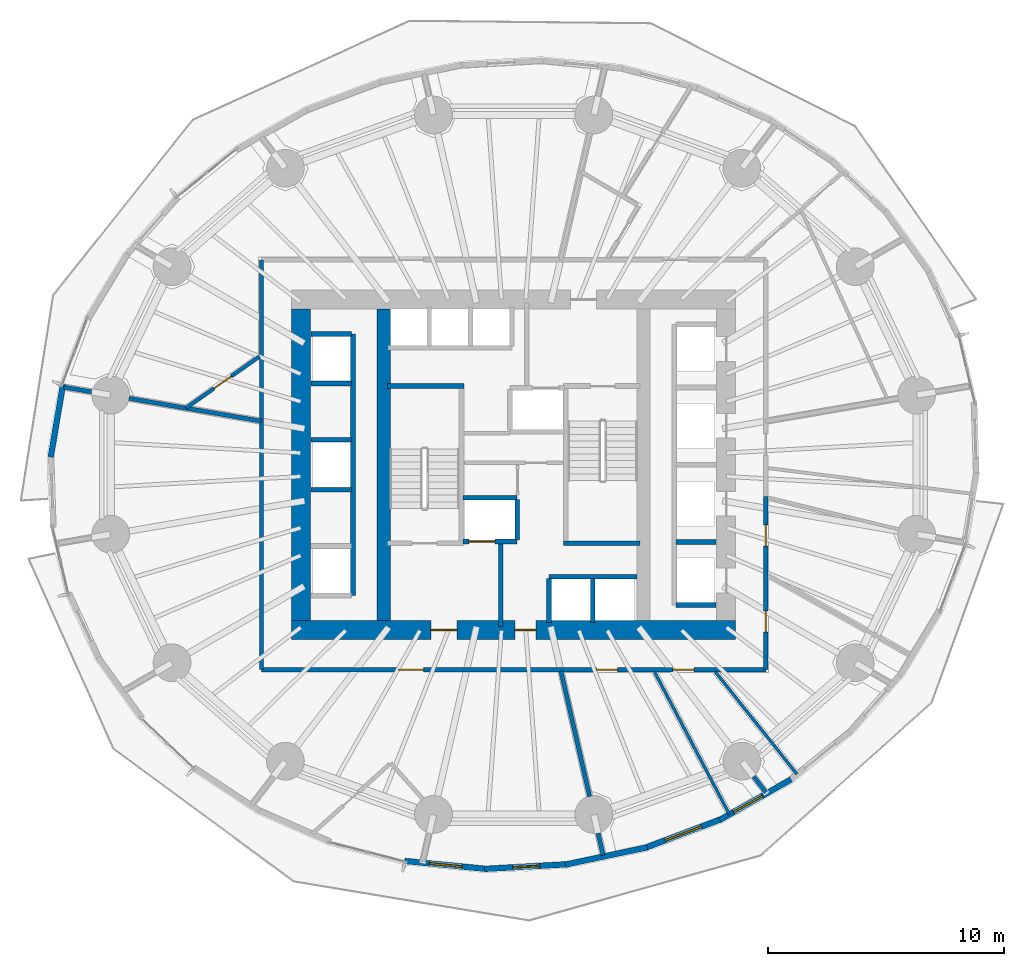
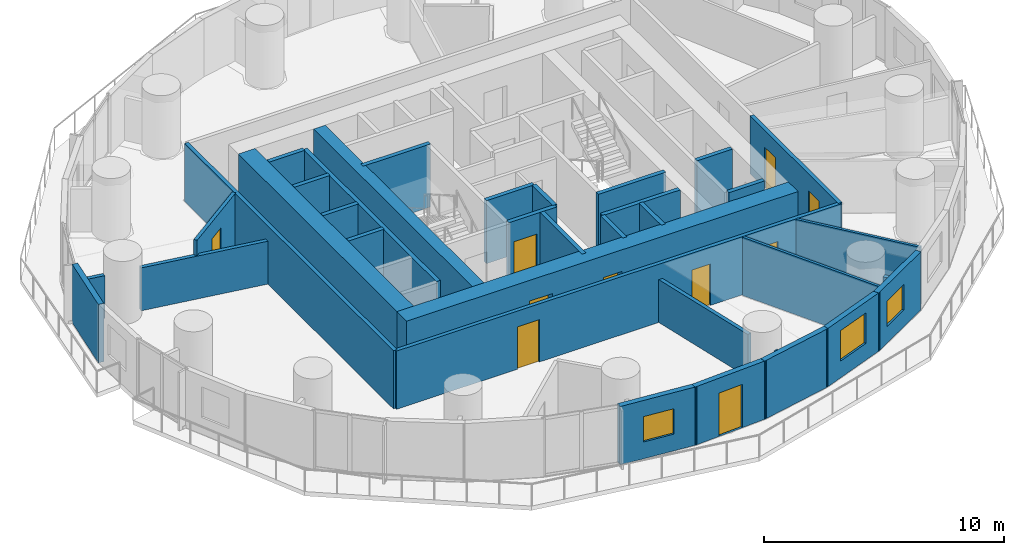
# One storey, part 7 of 14: 36 walls, 10 doors, 3 windows, 13 openings.
"""IFC4 building model written with IfcOpenShell, lengths in metres."""

from ifc_helpers import new_model, si_unit, direction, frame, frame_2d, origin, place, context, subcontext, project, spatial, rectangle, extrude, material, layer, layer_set, type_object, element, fill, save


model = new_model("IFC4")

# Units and contexts
model_context = context("Model", 3, precision=1e-05, world=origin(), true_north=direction((0.0, 1.0)))
body_context = subcontext(model_context, "Body", "Model", "MODEL_VIEW")
ifc_project = project(units=[si_unit("LENGTHUNIT", "METRE"), si_unit("AREAUNIT", "SQUARE_METRE"), si_unit("VOLUMEUNIT", "CUBIC_METRE"), si_unit("PLANEANGLEUNIT", "RADIAN"), si_unit("MASSUNIT", "GRAM", prefix="KILO")], contexts=[model_context])

# Site, building, storey
site_placement = place(None, origin())
site = spatial("IfcSite", under=ifc_project, at=site_placement, CompositionType="ELEMENT")
building_placement = place(site_placement, origin())
building = spatial("IfcBuilding", under=site, at=building_placement, Name="Veldorim Arch Residences", CompositionType="ELEMENT")
storey_placement = place(building_placement, frame((0.0, 0.0, 34.39990234375)))
storey = spatial("IfcBuildingStorey", under=building, at=storey_placement, Name="L09", CompositionType="ELEMENT", Elevation=34.39990234375)

# Walls
ifc_material_1 = material(Name="Acoustic Gypsum Board", Category="gypsum")
ifc_layer_1 = layer(ifc_material_1, 0.125, Name="Acoustic Stud Room Partition Wall 125")
ifc_layer_set_1 = layer_set([ifc_layer_1], Name="Acoustic Gypsum Board")
wall_type_1 = type_object("IfcWallType", Name="Acoustic Stud Room Partition Wall 125", PredefinedType="PARTITIONING", material=ifc_layer_set_1)
wall_1_placement = place(storey_placement, frame((43.997802734375, 10.896728515625, 0.0), z_axis=(0.0, 0.0, 1.0), x_axis=(-0.623937025269, 0.781474624347, 0.0)))
element("IfcWall", 1, at=wall_1_placement, inside=storey, type_object=wall_type_1, Name="L09 interior wall WL-RES-L09-010", PredefinedType="PARTITIONING", context=body_context, shape_type="SweptSolid", body=[
    extrude(rectangle(XDim=5.540283203125, YDim=0.125, at=frame_2d((2.77001953125, 0.0))), origin(), (0.0, 0.0, 1.0), 2.955078125),
])
wall_2_placement = place(storey_placement, frame((41.134521484375, 9.197265625, 0.0), z_axis=(0.0, 0.0, 1.0), x_axis=(-0.465197105493, 0.885207124373, 0.0)))
element("IfcWall", 2, at=wall_2_placement, inside=storey, type_object=wall_type_1, Name="L09 interior wall WL-RES-L09-011", PredefinedType="PARTITIONING", context=body_context, shape_type="SweptSolid", body=[
    extrude(rectangle(XDim=6.796875, YDim=0.125, at=frame_2d((3.3984375, 0.0))), origin(), (0.0, 0.0, 1.0), 2.955078125),
])
ifc_material_2 = material(Name="Lightweight Masonry Block & Gypsum", Category="masonry")
ifc_layer_2 = layer(ifc_material_2, 0.179931640625, Name="Compartment & Corridor Fire-Rated Party Wall 180")
ifc_layer_set_2 = layer_set([ifc_layer_2], Name="Lightweight Masonry Block & Gypsum")
wall_type_2 = type_object("IfcWallType", Name="Compartment & Corridor Fire-Rated Party Wall 180", PredefinedType="PARTITIONING", material=ifc_layer_set_2)
wall_3_placement = place(storey_placement, frame((14.126220703125, 27.08544921875, 0.0), z_axis=(0.0, 0.0, 1.0), x_axis=(-0.98541644509, 0.170160012181, 0.0)))
element("IfcWall", 3, at=wall_3_placement, inside=storey, type_object=wall_type_2, Name="L09 interior wall WL-PIER-L09-08", PredefinedType="PARTITIONING", context=body_context, shape_type="SweptSolid", body=[
    extrude(rectangle(XDim=1.195068359375, YDim=0.179931640625, at=frame_2d((0.59765625, 0.0))), origin(), (0.0, 0.0, 1.0), 2.17822265625),
])
wall_4_placement = place(storey_placement, frame((35.577880859375, 8.390869140625, 0.0), z_axis=(0.0, 0.0, 1.0), x_axis=(0.223204870581, -0.974771555673, 0.0)))
element("IfcWall", 4, at=wall_4_placement, inside=storey, type_object=wall_type_2, Name="L09 interior wall WL-PIER-L09-13", PredefinedType="PARTITIONING", context=body_context, shape_type="SweptSolid", body=[
    extrude(rectangle(XDim=0.959228515625, YDim=0.179931640625, at=frame_2d((0.4794921875, 0.0))), origin(), (0.0, 0.0, 1.0), 2.17822265625),
])
wall_5_placement = place(storey_placement, frame((42.167236328125, 10.795166015625, 0.0), z_axis=(0.0, 0.0, 1.0), x_axis=(0.609822176225, -0.792538272504, 0.0)))
element("IfcWall", 5, at=wall_5_placement, inside=storey, type_object=wall_type_2, Name="L09 interior wall WL-PIER-L09-14", PredefinedType="PARTITIONING", context=body_context, shape_type="SweptSolid", body=[
    extrude(rectangle(XDim=0.84716796875, YDim=0.179931640625, at=frame_2d((0.423583984375, 0.0))), origin(), (0.0, 0.0, 1.0), 2.17822265625),
])

# Wall, openings, doors
wall_6_placement = place(storey_placement, frame((42.679931640625, 22.655517578125, 0.0), z_axis=(0.0, 0.0, 1.0), x_axis=(0.0, -1.0, 0.0)))
wall_6 = element("IfcWall", 6, at=wall_6_placement, inside=storey, type_object=wall_type_2, Name="L09 interior wall WL-RES-L09-002", PredefinedType="PARTITIONING", context=body_context, shape_type="SweptSolid", body=[
    extrude(rectangle(XDim=7.33544921875, YDim=0.179931640625, at=frame_2d((3.667724609375, 0.0))), origin(), (0.0, 0.0, 1.0), 2.955078125),
])
opening_1_placement = place(wall_6_placement, frame((1.199951171875, 0.0, 0.0)))
opening_1 = element("IfcOpeningElement", 7, at=opening_1_placement, cuts=wall_6, Name="Opening DR-INT", PredefinedType="OPENING", context=body_context, shape_type="SweptSolid", body=[
    extrude(rectangle(XDim=0.89990234375, YDim=2.10009765625, at=frame_2d((0.449951171875, 1.050048828125))), frame((0.0, 0.099853515625, 0.0), z_axis=(0.0, -1.0, 0.0), x_axis=(1.0, 0.0, 0.0)), (0.0, 0.0, 1.0), 0.199951171875),
])
opening_2_placement = place(wall_6_placement, frame((4.846435546875, 0.0, 0.0)))
opening_2 = element("IfcOpeningElement", 8, at=opening_2_placement, cuts=wall_6, Name="Opening DR-INT", PredefinedType="OPENING", context=body_context, shape_type="SweptSolid", body=[
    extrude(rectangle(XDim=0.89990234375, YDim=2.10009765625, at=frame_2d((0.449951171875, 1.050048828125))), frame((0.0, 0.099853515625, 0.0), z_axis=(0.0, -1.0, 0.0), x_axis=(1.0, 0.0, 0.0)), (0.0, 0.0, 1.0), 0.199951171875),
])
ifc_material_3 = material(Name="Engineered Timber", Category="wood")
door_type_1 = type_object("IfcDoorType", Name="Apartment Internal Room Timber Door 900x2100", OperationType="SINGLE_SWING_LEFT", PredefinedType="DOOR", material=ifc_material_3)
door_1_placement = place(opening_1_placement, origin())
door_1 = element("IfcDoor", 9, at=door_1_placement, inside=storey, type_object=door_type_1, Name="L09 interior door DR-RES-L09-002", OperationType="SINGLE_SWING_RIGHT", OverallHeight=2.10009765625, OverallWidth=0.89990234375, PredefinedType="DOOR", context=body_context, shape_type="SweptSolid", body=[
    extrude(rectangle(XDim=0.89990234375, YDim=2.10009765625, at=frame_2d((0.449951171875, 1.050048828125))), frame((0.0, 0.02490234375, 0.0), z_axis=(0.0, -1.0, 0.0), x_axis=(1.0, 0.0, 0.0)), (0.0, 0.0, 1.0), 0.050048828125),
])
fill(opening_1, door_1)
door_2_placement = place(opening_2_placement, origin())
door_2 = element("IfcDoor", 10, at=door_2_placement, inside=storey, type_object=door_type_1, Name="L09 interior door DR-RES-L09-003", OperationType="SINGLE_SWING_LEFT", OverallHeight=2.10009765625, OverallWidth=0.89990234375, PredefinedType="DOOR", context=body_context, shape_type="SweptSolid", body=[
    extrude(rectangle(XDim=0.89990234375, YDim=2.10009765625, at=frame_2d((0.449951171875, 1.050048828125))), frame((0.0, 0.02490234375, 0.0), z_axis=(0.0, -1.0, 0.0), x_axis=(1.0, 0.0, 0.0)), (0.0, 0.0, 1.0), 0.050048828125),
])
fill(opening_2, door_2)

wall_7_placement = place(storey_placement, frame((42.679931640625, 15.320068359375, 0.0), z_axis=(0.0, 0.0, 1.0), x_axis=(-1.0, 0.0, 0.0)))
wall_7 = element("IfcWall", 11, at=wall_7_placement, inside=storey, type_object=wall_type_2, Name="L09 interior wall WL-RES-L09-003", PredefinedType="PARTITIONING", context=body_context, shape_type="SweptSolid", body=[
    extrude(rectangle(XDim=21.35986328125, YDim=0.179931640625, at=frame_2d((10.679931640625, 0.0))), origin(), (0.0, 0.0, 1.0), 2.955078125),
])
opening_3_placement = place(wall_7_placement, frame((3.035888671875, 0.0, 0.0)))
opening_3 = element("IfcOpeningElement", 12, at=opening_3_placement, cuts=wall_7, Name="Opening DR-INT", PredefinedType="OPENING", context=body_context, shape_type="SweptSolid", body=[
    extrude(rectangle(XDim=0.89990234375, YDim=2.10009765625, at=frame_2d((0.449951171875, 1.050048828125))), frame((0.0, 0.099853515625, 0.0), z_axis=(0.0, -1.0, 0.0), x_axis=(1.0, 0.0, 0.0)), (0.0, 0.0, 1.0), 0.199951171875),
])
opening_4_placement = place(wall_7_placement, frame((6.275390625, 0.0, 0.0)))
opening_4 = element("IfcOpeningElement", 13, at=opening_4_placement, cuts=wall_7, Name="Opening DR-INT", PredefinedType="OPENING", context=body_context, shape_type="SweptSolid", body=[
    extrude(rectangle(XDim=0.89990234375, YDim=2.10009765625, at=frame_2d((0.449951171875, 1.050048828125))), frame((0.0, 0.099853515625, 0.0), z_axis=(0.0, -1.0, 0.0), x_axis=(1.0, 0.0, 0.0)), (0.0, 0.0, 1.0), 0.199951171875),
])
opening_5_placement = place(wall_7_placement, frame((14.489990234375, 0.0, 0.0)))
opening_5 = element("IfcOpeningElement", 14, at=opening_5_placement, cuts=wall_7, Name="Opening DR-FLT", PredefinedType="OPENING", context=body_context, shape_type="SweptSolid", body=[
    extrude(rectangle(XDim=1.050048828125, YDim=2.14990234375, at=frame_2d((0.52490234375, 1.074951171875))), frame((0.0, 0.099853515625, 0.0), z_axis=(0.0, -1.0, 0.0), x_axis=(1.0, 0.0, 0.0)), (0.0, 0.0, 1.0), 0.199951171875),
])
ifc_material_4 = material(Name="Fire-Rated Timber", Category="wood")
door_type_2 = type_object("IfcDoorType", Name="Apartment Entrance Solid-Core Fire Door 1050x2150", OperationType="SINGLE_SWING_LEFT", PredefinedType="DOOR", material=ifc_material_4)
door_3_placement = place(opening_5_placement, origin())
door_3 = element("IfcDoor", 15, at=door_3_placement, inside=storey, type_object=door_type_2, Name="L09 interior door DR-RES-L09-014", OperationType="SINGLE_SWING_RIGHT", OverallHeight=2.14990234375, OverallWidth=1.050048828125, PredefinedType="DOOR", context=body_context, shape_type="SweptSolid", body=[
    extrude(rectangle(XDim=1.050048828125, YDim=2.14990234375, at=frame_2d((0.52490234375, 1.074951171875))), frame((0.0, 0.02490234375, 0.0), z_axis=(0.0, -1.0, 0.0), x_axis=(1.0, 0.0, 0.0)), (0.0, 0.0, 1.0), 0.050048828125),
])
fill(opening_5, door_3)
door_4_placement = place(opening_3_placement, origin())
door_4 = element("IfcDoor", 16, at=door_4_placement, inside=storey, type_object=door_type_1, Name="L09 interior door DR-RES-L09-004", OperationType="SINGLE_SWING_RIGHT", OverallHeight=2.10009765625, OverallWidth=0.89990234375, PredefinedType="DOOR", context=body_context, shape_type="SweptSolid", body=[
    extrude(rectangle(XDim=0.89990234375, YDim=2.10009765625, at=frame_2d((0.449951171875, 1.050048828125))), frame((0.0, 0.02490234375, 0.0), z_axis=(0.0, -1.0, 0.0), x_axis=(1.0, 0.0, 0.0)), (0.0, 0.0, 1.0), 0.050048828125),
])
fill(opening_3, door_4)
door_5_placement = place(opening_4_placement, origin())
door_5 = element("IfcDoor", 17, at=door_5_placement, inside=storey, type_object=door_type_1, Name="L09 interior door DR-RES-L09-005", OperationType="SINGLE_SWING_LEFT", OverallHeight=2.10009765625, OverallWidth=0.89990234375, PredefinedType="DOOR", context=body_context, shape_type="SweptSolid", body=[
    extrude(rectangle(XDim=0.89990234375, YDim=2.10009765625, at=frame_2d((0.449951171875, 1.050048828125))), frame((0.0, 0.02490234375, 0.0), z_axis=(0.0, -1.0, 0.0), x_axis=(1.0, 0.0, 0.0)), (0.0, 0.0, 1.0), 0.050048828125),
])
fill(opening_4, door_5)

# Walls
wall_8_placement = place(storey_placement, frame((21.320068359375, 15.320068359375, 0.0), z_axis=(0.0, 0.0, 1.0), x_axis=(0.0, 1.0, 0.0)))
element("IfcWall", 18, at=wall_8_placement, inside=storey, type_object=wall_type_2, Name="L09 interior wall WL-RES-L09-005", PredefinedType="PARTITIONING", context=body_context, shape_type="SweptSolid", body=[
    extrude(rectangle(XDim=17.35986328125, YDim=0.179931640625, at=frame_2d((8.679931640625, 0.0))), origin(), (0.0, 0.0, 1.0), 2.955078125),
])
wall_9_placement = place(storey_placement, frame((35.220947265625, 9.947998046875, 0.0), z_axis=(0.0, 0.0, 1.0), x_axis=(-0.223436436687, 0.974718502318, 0.0)))
element("IfcWall", 19, at=wall_9_placement, inside=storey, type_object=wall_type_2, Name="L09 interior wall WL-RES-L09-012", PredefinedType="PARTITIONING", context=body_context, shape_type="SweptSolid", body=[
    extrude(rectangle(XDim=5.451171875, YDim=0.179931640625, at=frame_2d((2.7255859375, 0.0))), origin(), (0.0, 0.0, 1.0), 2.17822265625),
])
wall_10_placement = place(storey_placement, frame((21.320068359375, 25.84375, 0.0), z_axis=(0.0, 0.0, 1.0), x_axis=(-0.985428411656, 0.170090697865, 0.0)))
element("IfcWall", 20, at=wall_10_placement, inside=storey, type_object=wall_type_2, Name="L09 interior wall WL-RES-L09-020", PredefinedType="PARTITIONING", context=body_context, shape_type="SweptSolid", body=[
    extrude(rectangle(XDim=5.694091796875, YDim=0.179931640625, at=frame_2d((2.84716796875, 0.0))), origin(), (0.0, 0.0, 1.0), 2.17822265625),
])
ifc_material_5 = material(Name="Concrete C50/60", Category="concrete")
ifc_layer_3 = layer(ifc_material_5, 0.199951171875, Name="Core Stair & Lift Shaft Enclosure Wall 200")
ifc_layer_set_3 = layer_set([ifc_layer_3], Name="Concrete C50/60")
wall_type_3 = type_object("IfcWallType", Name="Core Stair & Lift Shaft Enclosure Wall 200", PredefinedType="SHEAR", material=ifc_layer_set_3)
for number, where, z_axis, x_axis, name in (
    (21, (26.64990234375, 27.330078125, 0.0), (0.0, 0.0, 1.0), (1.0, 0.0, 0.0), "L09 shaft wall WL-SHF-L09-ST1-N"),
    (22, (34.110107421875, 20.669921875, 0.0), (0.0, 0.0, 1.0), (1.0, 0.0, 0.0), "L09 shaft wall WL-SHF-L09-ST2-S"),
):
    element("IfcWall", number, at=place(storey_placement, frame(where, z_axis=z_axis, x_axis=x_axis)), inside=storey, type_object=wall_type_3, Name=name, PredefinedType="SHEAR", context=body_context, shape_type="SweptSolid", body=[
        extrude(rectangle(XDim=3.239990234375, YDim=0.199951171875, at=frame_2d((1.6201171875, 0.0))), origin(), (0.0, 0.0, 1.0), 3.2001953125),
    ])
wall_11_placement = place(storey_placement, frame((31.449951171875, 17.14990234375, 0.0), z_axis=(0.0, 0.0, 1.0), x_axis=(0.0, 1.0, 0.0)))
element("IfcWall", 23, at=wall_11_placement, inside=storey, type_object=wall_type_3, Name="L09 shaft wall WL-FFL1-L09-E", PredefinedType="SHEAR", context=body_context, shape_type="SweptSolid", body=[
    extrude(rectangle(XDim=3.5, YDim=0.199951171875, at=frame_2d((1.75, 0.0))), origin(), (0.0, 0.0, 1.0), 3.2001953125),
])

# Wall, opening, door
wall_12_placement = place(storey_placement, frame((29.85009765625, 20.75, 0.0), z_axis=(0.0, 0.0, 1.0), x_axis=(1.0, 0.0, 0.0)))
wall_12 = element("IfcWall", 24, at=wall_12_placement, inside=storey, type_object=wall_type_3, Name="L09 shaft wall WL-FL01-L09-S", PredefinedType="SHEAR", context=body_context, shape_type="SweptSolid", body=[
    extrude(rectangle(XDim=2.2998046875, YDim=0.199951171875, at=frame_2d((1.14990234375, 0.0))), origin(), (0.0, 0.0, 1.0), 3.2001953125),
])
opening_6_placement = place(wall_12_placement, frame((0.25, 0.0, 0.0)))
opening_6 = element("IfcOpeningElement", 25, at=opening_6_placement, cuts=wall_12, Name="Opening LD-FF", PredefinedType="OPENING", context=body_context, shape_type="SweptSolid", body=[
    extrude(rectangle(XDim=1.10009765625, YDim=2.14990234375, at=frame_2d((0.550048828125, 1.074951171875))), frame((0.0, 0.10986328125, 0.0), z_axis=(0.0, -1.0, 0.0), x_axis=(1.0, 0.0, 0.0)), (0.0, 0.0, 1.0), 0.219970703125),
])
ifc_material_6 = material(Name="Stainless Steel", Category="steel")
door_type_3 = type_object("IfcDoorType", Name="Firefighting Lift Bi-Parting Sliding Landing Door 1100x2150", OperationType="DOUBLE_DOOR_SLIDING", PredefinedType="DOOR", material=ifc_material_6)
door_6_placement = place(opening_6_placement, origin())
door_6 = element("IfcDoor", 26, at=door_6_placement, inside=storey, type_object=door_type_3, Name="L09 lift landing door LD-L09-FL01", OperationType="DOUBLE_DOOR_SLIDING", OverallHeight=2.14990234375, OverallWidth=1.10009765625, PredefinedType="DOOR", context=body_context, shape_type="SweptSolid", body=[
    extrude(rectangle(XDim=1.10009765625, YDim=2.14990234375, at=frame_2d((0.550048828125, 1.074951171875))), frame((0.0, 0.02490234375, 0.0), z_axis=(0.0, -1.0, 0.0), x_axis=(1.0, 0.0, 0.0)), (0.0, 0.0, 1.0), 0.050048828125),
])
fill(opening_6, door_6)

# Walls
wall_13_placement = place(storey_placement, frame((29.85009765625, 22.60009765625, 0.0), z_axis=(0.0, 0.0, 1.0), x_axis=(1.0, 0.0, 0.0)))
element("IfcWall", 27, at=wall_13_placement, inside=storey, type_object=wall_type_3, Name="L09 shaft wall WL-FL01-L09-N", PredefinedType="SHEAR", context=body_context, shape_type="SweptSolid", body=[
    extrude(rectangle(XDim=2.2998046875, YDim=0.199951171875, at=frame_2d((1.14990234375, 0.0))), origin(), (0.0, 0.0, 1.0), 3.2001953125),
])
for number, where, z_axis, x_axis, name in (
    (28, (32.14990234375, 20.820068359375, 0.0), (0.0, 0.0, 1.0), (0.0, 1.0, 0.0), "L09 shaft wall WL-FL01-L09-E"),
    (29, (38.8701171875, 18.06005859375, 0.0), (0.0, 0.0, 1.0), (1.0, 0.0, 0.0), "L09 shaft wall WL-B1-L09-S"),
    (30, (38.8701171875, 20.72509765625, 0.0), (0.0, 0.0, 1.0), (1.0, 0.0, 0.0), "L09 shaft wall WL-B1-L09-D1"),
):
    element("IfcWall", number, at=place(storey_placement, frame(where, z_axis=z_axis, x_axis=x_axis)), inside=storey, type_object=wall_type_3, Name=name, PredefinedType="SHEAR", context=body_context, shape_type="SweptSolid", body=[
        extrude(rectangle(XDim=1.7099609375, YDim=0.199951171875, at=frame_2d((0.85498046875, 0.0))), origin(), (0.0, 0.0, 1.0), 3.2001953125),
    ])
wall_14_placement = place(storey_placement, frame((25.199951171875, 18.4599609375, 0.0), z_axis=(0.0, 0.0, 1.0), x_axis=(0.0, 1.0, 0.0)))
element("IfcWall", 31, at=wall_14_placement, inside=storey, type_object=wall_type_3, Name="L09 shaft wall WL-B2-L09-E", PredefinedType="SHEAR", context=body_context, shape_type="SweptSolid", body=[
    extrude(rectangle(XDim=11.080078125, YDim=0.199951171875, at=frame_2d((5.5400390625, 0.0))), origin(), (0.0, 0.0, 1.0), 3.2001953125),
])
for number, where, z_axis, x_axis, name in (
    (32, (23.419921875, 29.5400390625, 0.0), (0.0, 0.0, 1.0), (1.0, 0.0, 0.0), "L09 shaft wall WL-B2-L09-N"),
    (33, (23.419921875, 22.93994140625, 0.0), (0.0, 0.0, 1.0), (1.0, 0.0, 0.0), "L09 shaft wall WL-B2-L09-D1B"),
    (34, (23.419921875, 25.06005859375, 0.0), (0.0, 0.0, 1.0), (1.0, 0.0, 0.0), "L09 shaft wall WL-B2-L09-D2A"),
    (35, (23.419921875, 27.43994140625, 0.0), (0.0, 0.0, 1.0), (1.0, 0.0, 0.0), "L09 shaft wall WL-B2-L09-D2B"),
):
    element("IfcWall", number, at=place(storey_placement, frame(where, z_axis=z_axis, x_axis=x_axis)), inside=storey, type_object=wall_type_3, Name=name, PredefinedType="SHEAR", context=body_context, shape_type="SweptSolid", body=[
        extrude(rectangle(XDim=1.7099609375, YDim=0.199951171875, at=frame_2d((0.85498046875, 0.0))), origin(), (0.0, 0.0, 1.0), 3.2001953125),
    ])
wall_15_placement = place(storey_placement, frame((33.5, 19.25, 0.0), z_axis=(0.0, 0.0, 1.0), x_axis=(1.0, 0.0, 0.0)))
element("IfcWall", 36, at=wall_15_placement, inside=storey, type_object=wall_type_3, Name="L09 shaft wall WL-OL-L09-N", PredefinedType="SHEAR", context=body_context, shape_type="SweptSolid", body=[
    extrude(rectangle(XDim=3.719970703125, YDim=0.199951171875, at=frame_2d((1.85986328125, 0.0))), origin(), (0.0, 0.0, 1.0), 3.2001953125),
])
for number, where, z_axis, x_axis, name in (
    (37, (33.5, 17.320068359375, 0.0), (0.0, 0.0, 1.0), (0.0, 1.0, 0.0), "L09 shaft wall WL-OL-L09-W"),
    (38, (35.35009765625, 17.320068359375, 0.0), (0.0, 0.0, 1.0), (0.0, 1.0, 0.0), "L09 shaft wall WL-OL-L09-D1"),
):
    element("IfcWall", number, at=place(storey_placement, frame(where, z_axis=z_axis, x_axis=x_axis)), inside=storey, type_object=wall_type_3, Name=name, PredefinedType="SHEAR", context=body_context, shape_type="SweptSolid", body=[
        extrude(rectangle(XDim=1.85986328125, YDim=0.199951171875, at=frame_2d((0.929931640625, 0.0))), origin(), (0.0, 0.0, 1.0), 3.2001953125),
    ])
ifc_material_7 = material(Name="Concrete C60/75", Category="concrete")
ifc_layer_4 = layer(ifc_material_7, 0.56005859375, Name="Internal Core Shear Web Wall 560")
ifc_layer_set_4 = layer_set([ifc_layer_4], Name="Concrete C60/75")
wall_type_4 = type_object("IfcWallType", Name="Internal Core Shear Web Wall 560", PredefinedType="SHEAR", material=ifc_layer_set_4)
wall_16_placement = place(storey_placement, frame((26.5, 17.39990234375, 0.0), z_axis=(0.0, 0.0, 1.0), x_axis=(0.0, 1.0, 0.0)))
element("IfcWall", 39, at=wall_16_placement, inside=storey, type_object=wall_type_4, Name="L09 core west internal shear web", PredefinedType="SHEAR", context=body_context, shape_type="SweptSolid", body=[
    extrude(rectangle(XDim=13.2001953125, YDim=0.56005859375, at=frame_2d((6.60009765625, 0.0))), origin(), (0.0, 0.0, 1.0), 3.2001953125),
])

# Wall, openings, doors
ifc_material_8 = material(Name="Concrete C60/75", Category="concrete")
ifc_layer_5 = layer(ifc_material_8, 0.800048828125, Name="Lower Central Core Shear Wall 800")
ifc_layer_set_5 = layer_set([ifc_layer_5], Name="Concrete C60/75")
wall_type_5 = type_object("IfcWallType", Name="Lower Central Core Shear Wall 800", PredefinedType="SHEAR", material=ifc_layer_set_5)
wall_17_placement = place(storey_placement, frame((22.60009765625, 17.0, 0.0), z_axis=(0.0, 0.0, 1.0), x_axis=(1.0, 0.0, 0.0)))
wall_17 = element("IfcWall", 40, at=wall_17_placement, inside=storey, type_object=wall_type_5, Name="L09 central core south shear wall", PredefinedType="SHEAR", context=body_context, shape_type="SweptSolid", body=[
    extrude(rectangle(XDim=18.7998046875, YDim=0.800048828125, at=frame_2d((9.39990234375, 0.0))), origin(), (0.0, 0.0, 1.0), 3.2001953125),
])
opening_7_placement = place(wall_17_placement, frame((5.89990234375, 0.0, 0.0)))
opening_7 = element("IfcOpeningElement", 41, at=opening_7_placement, cuts=wall_17, Name="Opening DR-FFL", PredefinedType="OPENING", context=body_context, shape_type="SweptSolid", body=[
    extrude(rectangle(XDim=1.10009765625, YDim=2.14990234375, at=frame_2d((0.550048828125, 1.074951171875))), frame((0.0, 0.409912109375, 0.0), z_axis=(0.0, -1.0, 0.0), x_axis=(1.0, 0.0, 0.0)), (0.0, 0.0, 1.0), 0.820068359375),
])
opening_8_placement = place(wall_17_placement, frame((9.449951171875, 0.0, 0.0)))
opening_8 = element("IfcOpeningElement", 42, at=opening_8_placement, cuts=wall_17, Name="Opening DR-SVC", PredefinedType="OPENING", context=body_context, shape_type="SweptSolid", body=[
    extrude(rectangle(XDim=0.89990234375, YDim=2.10009765625, at=frame_2d((0.449951171875, 1.050048828125))), frame((0.0, 0.409912109375, 0.0), z_axis=(0.0, -1.0, 0.0), x_axis=(1.0, 0.0, 0.0)), (0.0, 0.0, 1.0), 0.820068359375),
])
ifc_material_9 = material(Name="Fire-Rated Steel & Vision Glass", Category="steel")
door_type_4 = type_object("IfcDoorType", Name="Firefighting Lobby Smoke-Stop Fire Door 1100x2150", OperationType="SINGLE_SWING_LEFT", PredefinedType="DOOR", material=ifc_material_9)
door_7_placement = place(opening_7_placement, origin())
door_7 = element("IfcDoor", 43, at=door_7_placement, inside=storey, type_object=door_type_4, Name="L09 interior door DR-L09-FFL1", OperationType="SINGLE_SWING_RIGHT", OverallHeight=2.14990234375, OverallWidth=1.10009765625, PredefinedType="DOOR", context=body_context, shape_type="SweptSolid", body=[
    extrude(rectangle(XDim=1.10009765625, YDim=2.14990234375, at=frame_2d((0.550048828125, 1.074951171875))), frame((0.0, 0.02490234375, 0.0), z_axis=(0.0, -1.0, 0.0), x_axis=(1.0, 0.0, 0.0)), (0.0, 0.0, 1.0), 0.050048828125),
])
fill(opening_7, door_7)
ifc_material_10 = material(Name="Fire-Rated Steel", Category="steel")
door_type_5 = type_object("IfcDoorType", Name="Riser, Shelter & Plant Room Rated Steel Door 900x2100", OperationType="SINGLE_SWING_LEFT", PredefinedType="DOOR", material=ifc_material_10)
door_8_placement = place(opening_8_placement, origin())
door_8 = element("IfcDoor", 44, at=door_8_placement, inside=storey, type_object=door_type_5, Name="L09 interior door DR-L09-COR-ANC", OperationType="SINGLE_SWING_LEFT", OverallHeight=2.10009765625, OverallWidth=0.89990234375, PredefinedType="DOOR", context=body_context, shape_type="SweptSolid", body=[
    extrude(rectangle(XDim=0.89990234375, YDim=2.10009765625, at=frame_2d((0.449951171875, 1.050048828125))), frame((0.0, 0.02490234375, 0.0), z_axis=(0.0, -1.0, 0.0), x_axis=(1.0, 0.0, 0.0)), (0.0, 0.0, 1.0), 0.050048828125),
])
fill(opening_8, door_8)

# Walls
wall_18_placement = place(storey_placement, frame((23.0, 17.39990234375, 0.0), z_axis=(0.0, 0.0, 1.0), x_axis=(0.0, 1.0, 0.0)))
element("IfcWall", 45, at=wall_18_placement, inside=storey, type_object=wall_type_5, Name="L09 central core west shear wall", PredefinedType="SHEAR", context=body_context, shape_type="SweptSolid", body=[
    extrude(rectangle(XDim=13.2001953125, YDim=0.800048828125, at=frame_2d((6.60009765625, 0.0))), origin(), (0.0, 0.0, 1.0), 3.2001953125),
])
ifc_material_11 = material(Name="Precast concrete C40/50", Category="concrete")
ifc_layer_6 = layer(ifc_material_11, 0.25, Name="Tower Terracotta Spandrel & Pier Wall 250")
ifc_layer_set_6 = layer_set([ifc_layer_6], Name="Precast concrete C40/50")
wall_type_6 = type_object("IfcWallType", Name="Tower Terracotta Spandrel & Pier Wall 250", PredefinedType="SOLIDWALL", material=ifc_layer_set_6)
wall_19_placement = place(storey_placement, frame((12.393310546875, 24.330078125, 0.0), z_axis=(0.0, 0.0, 1.0), x_axis=(0.166403122634, 0.98605780803, 0.0)))
element("IfcWall", 46, at=wall_19_placement, inside=storey, type_object=wall_type_6, Name="L09 terracotta facade wall 17", PredefinedType="SOLIDWALL", context=body_context, shape_type="SweptSolid", body=[
    extrude(rectangle(XDim=3.12060546875, YDim=0.25, at=frame_2d((1.560302734375, 0.0))), origin(), (0.0, 0.0, 1.0), 2.960205078125),
])

# Wall, opening, window
wall_20_placement = place(storey_placement, frame((30.877197265625, 6.876220703125, 0.0), z_axis=(0.0, 0.0, 1.0), x_axis=(-0.995323323337, 0.096599596386, 0.0)))
wall_20 = element("IfcWall", 47, at=wall_20_placement, inside=storey, type_object=wall_type_6, Name="L09 terracotta facade wall 26", PredefinedType="SOLIDWALL", context=body_context, shape_type="SweptSolid", body=[
    extrude(rectangle(XDim=3.512939453125, YDim=0.25, at=frame_2d((1.75634765625, 0.0))), origin(), (0.0, 0.0, 1.0), 2.960205078125),
])
opening_9_placement = place(wall_20_placement, frame((1.055908203125, 0.0, 0.85009765625)))
opening_9 = element("IfcOpeningElement", 48, at=opening_9_placement, cuts=wall_20, Name="Opening WN-02", PredefinedType="OPENING", context=body_context, shape_type="SweptSolid", body=[
    extrude(rectangle(XDim=1.39990234375, YDim=1.2900390625, at=frame_2d((0.699951171875, 0.64501953125))), frame((0.0, 0.135009765625, 0.0), z_axis=(0.0, -1.0, 0.0), x_axis=(1.0, 0.0, 0.0)), (0.0, 0.0, 1.0), 0.27001953125),
])
ifc_material_12 = material(Name="Laminated Low-E Glass", Category="glass")
window_type_1 = type_object("IfcWindowType", Name="Residential Casement Window 1400x1550", PartitioningType="SINGLE_PANEL", PredefinedType="WINDOW", material=ifc_material_12)
window_1_placement = place(opening_9_placement, origin())
window_1 = element("IfcWindow", 49, at=window_1_placement, inside=storey, type_object=window_type_1, Name="L09 solar-control facade window 26", OverallHeight=1.2900390625, OverallWidth=1.39990234375, PartitioningType="SINGLE_PANEL", PredefinedType="WINDOW", context=body_context, shape_type="SweptSolid", body=[
    extrude(rectangle(XDim=1.39990234375, YDim=1.2900390625, at=frame_2d((0.699951171875, 0.64501953125))), frame((0.0, 0.030029296875, 0.0), z_axis=(0.0, -1.0, 0.0), x_axis=(1.0, 0.0, 0.0)), (0.0, 0.0, 1.0), 0.06005859375),
])
fill(opening_9, window_1)

# Wall, opening, door
wall_21_placement = place(storey_placement, frame((34.30078125, 7.076904296875, 0.0), z_axis=(0.0, 0.0, 1.0), x_axis=(-0.998425121055, -0.056100602904, 0.0)))
wall_21 = element("IfcWall", 50, at=wall_21_placement, inside=storey, type_object=wall_type_6, Name="L09 terracotta facade wall 27", PredefinedType="SOLIDWALL", context=body_context, shape_type="SweptSolid", body=[
    extrude(rectangle(XDim=3.5380859375, YDim=0.25, at=frame_2d((1.76904296875, 0.0))), origin(), (0.0, 0.0, 1.0), 2.960205078125),
])
opening_10_placement = place(wall_21_placement, frame((1.194091796875, 0.0, 0.0)))
opening_10 = element("IfcOpeningElement", 51, at=opening_10_placement, cuts=wall_21, Name="Opening BL-DR", PredefinedType="OPENING", context=body_context, shape_type="SweptSolid", body=[
    extrude(rectangle(XDim=1.14990234375, YDim=2.199951171875, at=frame_2d((0.574951171875, 1.10009765625))), frame((0.0, 0.135009765625, 0.0), z_axis=(0.0, -1.0, 0.0), x_axis=(1.0, 0.0, 0.0)), (0.0, 0.0, 1.0), 0.27001953125),
])
ifc_material_13 = material(Name="Aluminium & Low-E Glass", Category="aluminium")
door_type_6 = type_object("IfcDoorType", Name="Glazed Planted Balcony Door 1150x2200", OperationType="SINGLE_SWING_LEFT", PredefinedType="DOOR", material=ifc_material_13)
door_9_placement = place(opening_10_placement, origin())
door_9 = element("IfcDoor", 52, at=door_9_placement, inside=storey, type_object=door_type_6, Name="L09 glazed outdoor terrace door BALC-2", OperationType="SINGLE_SWING_LEFT", OverallHeight=2.199951171875, OverallWidth=1.14990234375, PredefinedType="DOOR", context=body_context, shape_type="SweptSolid", body=[
    extrude(rectangle(XDim=1.14990234375, YDim=2.199951171875, at=frame_2d((0.574951171875, 1.10009765625))), frame((0.0, 0.02490234375, 0.0), z_axis=(0.0, -1.0, 0.0), x_axis=(1.0, 0.0, 0.0)), (0.0, 0.0, 1.0), 0.050048828125),
])
fill(opening_10, door_9)

# Wall
wall_22_placement = place(storey_placement, frame((37.655029296875, 7.79248046875, 0.0), z_axis=(0.0, 0.0, 1.0), x_axis=(-0.978483842038, -0.206323461756, 0.0)))
element("IfcWall", 53, at=wall_22_placement, inside=storey, type_object=wall_type_6, Name="L09 terracotta facade wall 28", PredefinedType="SOLIDWALL", context=body_context, shape_type="SweptSolid", body=[
    extrude(rectangle(XDim=3.5380859375, YDim=0.25, at=frame_2d((1.76904296875, 0.0))), origin(), (0.0, 0.0, 1.0), 2.960205078125),
])

# Wall, opening, window
wall_23_placement = place(storey_placement, frame((40.837646484375, 9.00146484375, 0.0), z_axis=(0.0, 0.0, 1.0), x_axis=(-0.935679231508, -0.352851775857, 0.0)))
wall_23 = element("IfcWall", 54, at=wall_23_placement, inside=storey, type_object=wall_type_6, Name="L09 terracotta facade wall 29", PredefinedType="SOLIDWALL", context=body_context, shape_type="SweptSolid", body=[
    extrude(rectangle(XDim=3.5126953125, YDim=0.25, at=frame_2d((1.75634765625, 0.0))), origin(), (0.0, 0.0, 1.0), 2.960205078125),
])
opening_11_placement = place(wall_23_placement, frame((0.930908203125, 0.0, 0.85009765625)))
opening_11 = element("IfcOpeningElement", 55, at=opening_11_placement, cuts=wall_23, Name="Opening WN-03", PredefinedType="OPENING", context=body_context, shape_type="SweptSolid", body=[
    extrude(rectangle(XDim=1.64990234375, YDim=1.550048828125, at=frame_2d((0.824951171875, 0.77490234375))), frame((0.0, 0.135009765625, 0.0), z_axis=(0.0, -1.0, 0.0), x_axis=(1.0, 0.0, 0.0)), (0.0, 0.0, 1.0), 0.27001953125),
])
ifc_material_14 = material(Name="Laminated Low-E Glass", Category="glass")
window_type_2 = type_object("IfcWindowType", Name="Residential Wide Window 1650x1550", PartitioningType="SINGLE_PANEL", PredefinedType="WINDOW", material=ifc_material_14)
window_2_placement = place(opening_11_placement, origin())
window_2 = element("IfcWindow", 56, at=window_2_placement, inside=storey, type_object=window_type_2, Name="L09 solar-control facade window 29", OverallHeight=1.550048828125, OverallWidth=1.64990234375, PartitioningType="SINGLE_PANEL", PredefinedType="WINDOW", context=body_context, shape_type="SweptSolid", body=[
    extrude(rectangle(XDim=1.64990234375, YDim=1.550048828125, at=frame_2d((0.824951171875, 0.77490234375))), frame((0.0, 0.030029296875, 0.0), z_axis=(0.0, -1.0, 0.0), x_axis=(1.0, 0.0, 0.0)), (0.0, 0.0, 1.0), 0.06005859375),
])
fill(opening_11, window_2)

wall_24_placement = place(storey_placement, frame((43.751220703125, 10.667236328125, 0.0), z_axis=(0.0, 0.0, 1.0), x_axis=(-0.869389832426, -0.494126825091, 0.0)))
wall_24 = element("IfcWall", 57, at=wall_24_placement, inside=storey, type_object=wall_type_6, Name="L09 terracotta facade wall 30", PredefinedType="SOLIDWALL", context=body_context, shape_type="SweptSolid", body=[
    extrude(rectangle(XDim=3.465087890625, YDim=0.25, at=frame_2d((1.732421875, 0.0))), origin(), (0.0, 0.0, 1.0), 2.960205078125),
])
opening_12_placement = place(wall_24_placement, frame((1.39990234375, 0.0, 0.85009765625)))
opening_12 = element("IfcOpeningElement", 58, at=opening_12_placement, cuts=wall_24, Name="Opening WN-02", PredefinedType="OPENING", context=body_context, shape_type="SweptSolid", body=[
    extrude(rectangle(XDim=1.39990234375, YDim=1.2900390625, at=frame_2d((0.699951171875, 0.64501953125))), frame((0.0, 0.135009765625, 0.0), z_axis=(0.0, -1.0, 0.0), x_axis=(1.0, 0.0, 0.0)), (0.0, 0.0, 1.0), 0.27001953125),
])
window_3_placement = place(opening_12_placement, origin())
window_3 = element("IfcWindow", 59, at=window_3_placement, inside=storey, type_object=window_type_1, Name="L09 solar-control facade window 30", OverallHeight=1.2900390625, OverallWidth=1.39990234375, PartitioningType="SINGLE_PANEL", PredefinedType="WINDOW", context=body_context, shape_type="SweptSolid", body=[
    extrude(rectangle(XDim=1.39990234375, YDim=1.2900390625, at=frame_2d((0.699951171875, 0.64501953125))), frame((0.0, 0.030029296875, 0.0), z_axis=(0.0, -1.0, 0.0), x_axis=(1.0, 0.0, 0.0)), (0.0, 0.0, 1.0), 0.06005859375),
])
fill(opening_12, window_3)

# Wall, opening, door
ifc_material_15 = material(Name="Moisture-Resistant Gypsum & Stud", Category="gypsum")
ifc_layer_7 = layer(ifc_material_15, 0.159912109375, Name="Wet-Area Moisture-Resistant Plumbing Wall 160")
ifc_layer_set_7 = layer_set([ifc_layer_7], Name="Moisture-Resistant Gypsum & Stud")
wall_type_7 = type_object("IfcWallType", Name="Wet-Area Moisture-Resistant Plumbing Wall 160", PredefinedType="PLUMBINGWALL", material=ifc_layer_set_7)
wall_25_placement = place(storey_placement, frame((21.238037109375, 28.5869140625, 0.0), z_axis=(0.0, 0.0, 1.0), x_axis=(-0.818554579869, -0.57442875953, 0.0)))
wall_25 = element("IfcWall", 60, at=wall_25_placement, inside=storey, type_object=wall_type_7, Name="L09 interior wall WL-RES-L09-019", PredefinedType="PLUMBINGWALL", context=body_context, shape_type="SweptSolid", body=[
    extrude(rectangle(XDim=3.813232421875, YDim=0.159912109375, at=frame_2d((1.90673828125, 0.0))), origin(), (0.0, 0.0, 1.0), 2.955078125),
])
opening_13_placement = place(wall_25_placement, frame((1.45654296875, 0.0, 0.0)))
opening_13 = element("IfcOpeningElement", 61, at=opening_13_placement, cuts=wall_25, Name="Opening DR-WC", PredefinedType="OPENING", context=body_context, shape_type="SweptSolid", body=[
    extrude(rectangle(XDim=0.89990234375, YDim=2.10009765625, at=frame_2d((0.449951171875, 1.050048828125))), frame((0.0, 0.08984375, 0.0), z_axis=(0.0, -1.0, 0.0), x_axis=(1.0, 0.0, 0.0)), (0.0, 0.0, 1.0), 0.179931640625),
])
ifc_material_16 = material(Name="Laminate Timber", Category="wood")
door_type_7 = type_object("IfcDoorType", Name="Bathroom & Accessible WC Moisture-Sealed Door 900x2100", OperationType="SINGLE_SWING_LEFT", PredefinedType="DOOR", material=ifc_material_16)
door_10_placement = place(opening_13_placement, origin())
door_10 = element("IfcDoor", 62, at=door_10_placement, inside=storey, type_object=door_type_7, Name="L09 interior door DR-RES-L09-013", OperationType="SINGLE_SWING_LEFT", OverallHeight=2.10009765625, OverallWidth=0.89990234375, PredefinedType="DOOR", context=body_context, shape_type="SweptSolid", body=[
    extrude(rectangle(XDim=0.89990234375, YDim=2.10009765625, at=frame_2d((0.449951171875, 1.050048828125))), frame((0.0, 0.02490234375, 0.0), z_axis=(0.0, -1.0, 0.0), x_axis=(1.0, 0.0, 0.0)), (0.0, 0.0, 1.0), 0.050048828125),
])
fill(opening_13, door_10)

save(model, "model.ifc")
